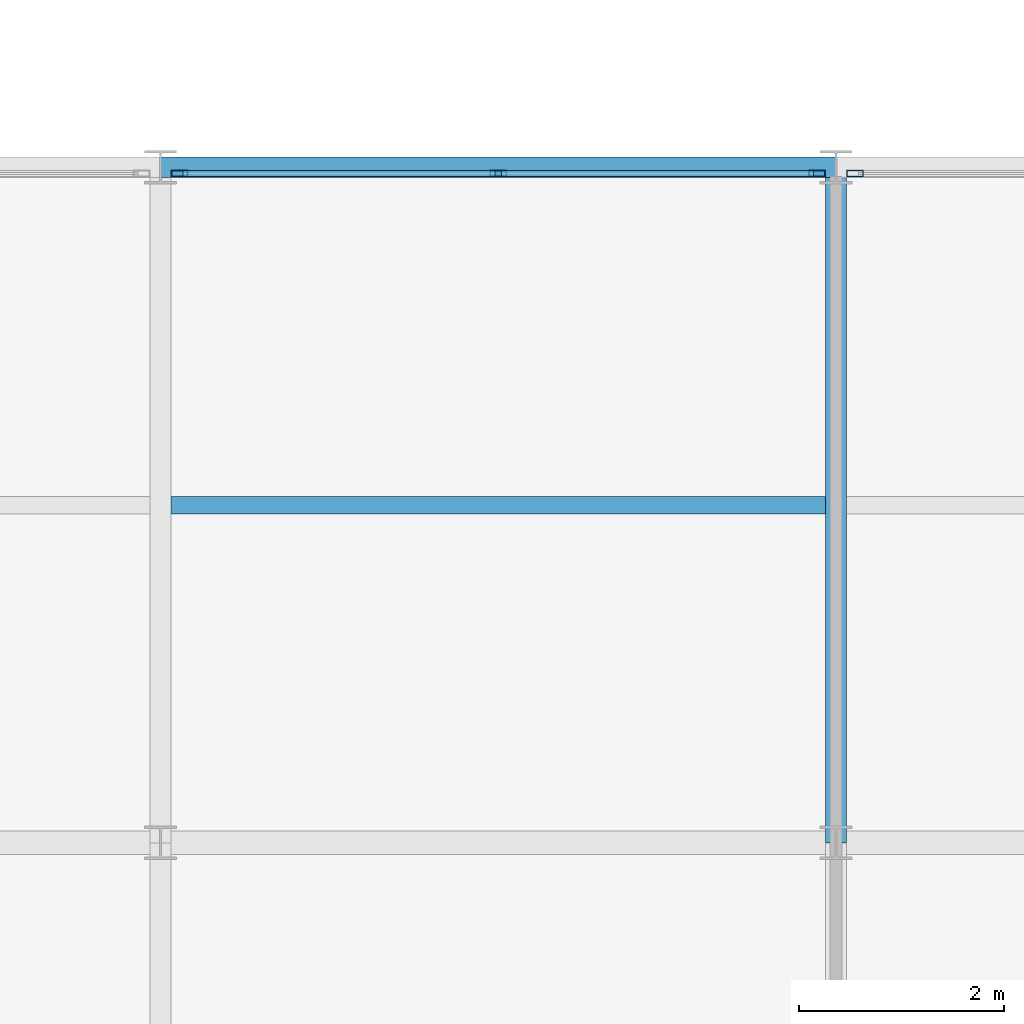
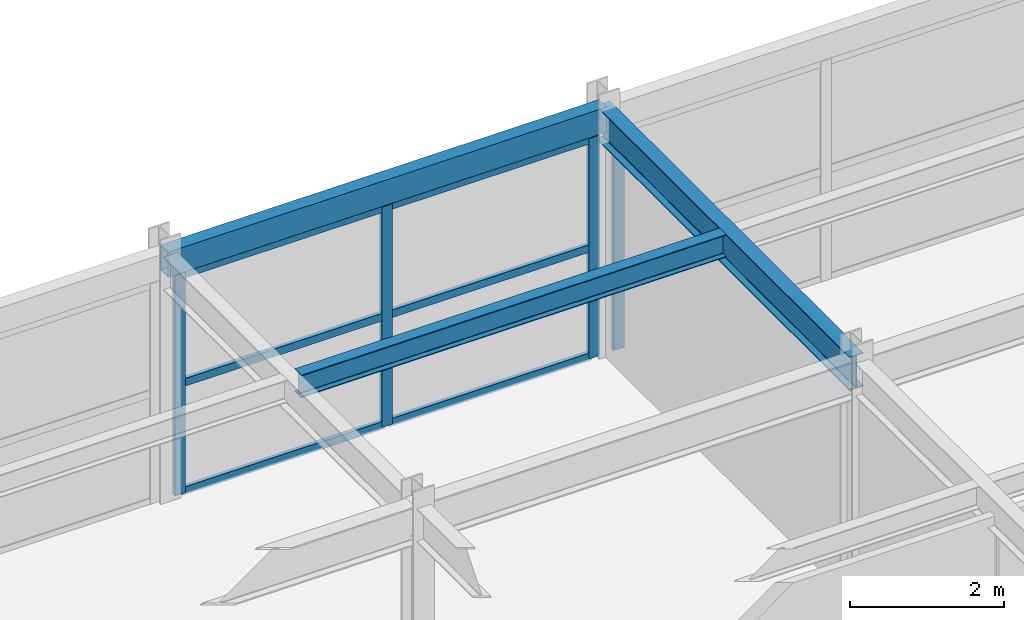
# One storey, part 46 of 106: 10 members, 3 beams, 2 elements without a shape of their own.
"""IFC4 building model written with IfcOpenShell, lengths in metres."""

from ifc_helpers import new_model, si_unit, direction, frame, origin, origin_2d, place, context, subcontext, project, spatial, hollow_rectangle, i_section, extrude, material, material_profile, profile_set, type_object, element, aggregate, save


model = new_model("IFC4")

# Units and contexts
model_context = context("Model", 3, precision=1e-05, world=origin(), true_north=direction((0.0, 1.0)))
body_context = subcontext(model_context, "Body", "Model", "MODEL_VIEW")
ifc_project = project(units=[si_unit("LENGTHUNIT", "METRE"), si_unit("AREAUNIT", "SQUARE_METRE"), si_unit("VOLUMEUNIT", "CUBIC_METRE"), si_unit("PLANEANGLEUNIT", "RADIAN"), si_unit("MASSUNIT", "GRAM", prefix="KILO")], contexts=[model_context])

# Site, building, storey
site_placement = place(None, origin())
site = spatial("IfcSite", under=ifc_project, at=site_placement, CompositionType="ELEMENT")
building_placement = place(site_placement, origin())
building = spatial("IfcBuilding", under=site, at=building_placement, Name="Karori Crest Natural Sciences Institute", CompositionType="ELEMENT")
storey_placement = place(building_placement, frame((0.0, 0.0, 25.89990234375)))
storey = spatial("IfcBuildingStorey", under=building, at=storey_placement, Name="L06", CompositionType="ELEMENT", Elevation=25.89990234375)

# Beams
ifc_material_1 = material(Name="Structural steel AS/NZS 3679.1 Grade 350", Category="steel")
ifc_material_profile_1 = material_profile(ifc_material_1, i_section(OverallWidth=0.208984375, OverallDepth=0.532958984375, WebThickness=0.01025390625, FlangeThickness=0.015625, FilletRadius=0.013916015625, at=origin_2d()), Name="530UB92.4")
ifc_profile_set_1 = profile_set([ifc_material_profile_1], Name="Structural steel AS/NZS 3679.1 Grade 350")
beam_type_1 = type_object("IfcBeamType", Name="BT-05", PredefinedType="BEAM", material=ifc_profile_set_1)
beam_1_placement = place(storey_placement, frame((130.0, 14.0, 3.653564453125), z_axis=(0.0, 1.0, 0.0), x_axis=(-1.0, 0.0, 0.0)))
element("IfcBeam", 1, at=beam_1_placement, inside=storey, type_object=beam_type_1, Name="Beam B-2585", PredefinedType="BEAM", context=body_context, shape_type="SweptSolid", body=[
    extrude(i_section(OverallWidth=0.208984375, OverallDepth=0.532958984375, WebThickness=0.01025390625, FlangeThickness=0.015625, FilletRadius=0.013916015625, at=origin_2d()), origin(), (0.0, 0.0, 1.0), 6.60009765625),
])
ifc_material_profile_2 = material_profile(ifc_material_1, i_section(OverallWidth=0.172119140625, OverallDepth=0.35888671875, WebThickness=0.008056640625, FlangeThickness=0.012939453125, FilletRadius=0.010986328125, at=origin_2d()), Name="360UB56.7")
ifc_profile_set_2 = profile_set([ifc_material_profile_2], Name="Structural steel AS/NZS 3679.1 Grade 350")
beam_type_2 = type_object("IfcBeamType", Name="BT-08", PredefinedType="BEAM", material=ifc_profile_set_2)
beam_2_placement = place(storey_placement, frame((123.50439453125, 17.300048828125, 3.740478515625), z_axis=(1.0, 0.0, 0.0), x_axis=(0.0, 1.0, 0.0)))
element("IfcBeam", 2, at=beam_2_placement, inside=storey, type_object=beam_type_2, Name="Beam B-2606", PredefinedType="BEAM", context=body_context, shape_type="SweptSolid", body=[
    extrude(i_section(OverallWidth=0.172119140625, OverallDepth=0.35888671875, WebThickness=0.008056640625, FlangeThickness=0.012939453125, FilletRadius=0.010986328125, at=origin_2d()), origin(), (0.0, 0.0, 1.0), 6.39111328125),
])
ifc_material_2 = material(Name="Hollow structural steel AS/NZS 1163 Grade C350", Category="steel")
ifc_material_profile_3 = material_profile(ifc_material_2, hollow_rectangle(XDim=0.199951171875, YDim=0.39990234375, WallThickness=0.012451171875, at=origin_2d()), Name="RHS400x200x12.5")
ifc_profile_set_3 = profile_set([ifc_material_profile_3], Name="Hollow structural steel AS/NZS 1163 Grade C350")
beam_type_3 = type_object("IfcBeamType", Name="BT-14", PredefinedType="SPANDREL", material=ifc_profile_set_3)
beam_3_placement = place(storey_placement, frame((123.39990234375, 20.60009765625, 3.72021484375), z_axis=(1.0, 0.0, 0.0), x_axis=(0.0, 1.0, 0.0)))
element("IfcBeam", 3, at=beam_3_placement, inside=storey, type_object=beam_type_3, Name="Beam B-2566", PredefinedType="SPANDREL", context=body_context, shape_type="SweptSolid", body=[
    extrude(hollow_rectangle(XDim=0.199951171875, YDim=0.39990234375, WallThickness=0.012451171875, at=origin_2d()), origin(), (0.0, 0.0, 1.0), 6.60009765625),
])

# Curtain wall, members
ifc_material_3 = material(Name="Anodised architectural aluminium 6063-T6", Category="aluminium")
curtain_wall_type = type_object("IfcCurtainWallType", Name="CWT-20", PredefinedType="NOTDEFINED", material=ifc_material_3)
curtain_wall_1_placement = place(storey_placement, origin())
curtain_wall_1 = element("IfcCurtainWall", 4, at=curtain_wall_1_placement, inside=storey, type_object=curtain_wall_type, Name="Curtain wall CW-0352", PredefinedType="NOTDEFINED")
ifc_material_profile_4 = material_profile(ifc_material_3, hollow_rectangle(XDim=0.06494140625, YDim=0.159912109375, WallThickness=0.00390625, at=origin_2d()), Name="CWM160x65x4")
ifc_profile_set_4 = profile_set([ifc_material_profile_4], Name="Anodised architectural aluminium 6063-T6")
member_type_1 = type_object("IfcMemberType", Name="CWM-01", PredefinedType="MULLION", material=ifc_profile_set_4)
member_1_placement = place(storey_placement, frame((123.5859375, 20.5400390625, 0.0), z_axis=(0.0, 0.0, 1.0), x_axis=(0.0, 1.0, 0.0)))
member_1 = element("IfcMember", 5, at=member_1_placement, type_object=member_type_1, Name="CW-0352 mullion 1", PredefinedType="MULLION", context=body_context, shape_type="SweptSolid", body=[
    extrude(hollow_rectangle(XDim=0.06494140625, YDim=0.159912109375, WallThickness=0.00390625, at=origin_2d()), origin(), (0.0, 0.0, 1.0), 3.505126953125),
])
member_2_placement = place(storey_placement, frame((126.699951171875, 20.5400390625, 0.0), z_axis=(0.0, 0.0, 1.0), x_axis=(0.0, 1.0, 0.0)))
member_2 = element("IfcMember", 6, at=member_2_placement, type_object=member_type_1, Name="CW-0352 mullion 2", PredefinedType="MULLION", context=body_context, shape_type="SweptSolid", body=[
    extrude(hollow_rectangle(XDim=0.06494140625, YDim=0.159912109375, WallThickness=0.00390625, at=origin_2d()), origin(), (0.0, 0.0, 1.0), 3.505126953125),
])
member_3_placement = place(storey_placement, frame((129.81396484375, 20.5400390625, 0.0), z_axis=(0.0, 0.0, 1.0), x_axis=(0.0, 1.0, 0.0)))
member_3 = element("IfcMember", 7, at=member_3_placement, type_object=member_type_1, Name="CW-0352 mullion 3", PredefinedType="MULLION", context=body_context, shape_type="SweptSolid", body=[
    extrude(hollow_rectangle(XDim=0.06494140625, YDim=0.159912109375, WallThickness=0.00390625, at=origin_2d()), origin(), (0.0, 0.0, 1.0), 3.505126953125),
])

# Curtain wall, member
curtain_wall_2_placement = place(storey_placement, origin())
curtain_wall_2 = element("IfcCurtainWall", 8, at=curtain_wall_2_placement, inside=storey, type_object=curtain_wall_type, Name="Curtain wall CW-0353", PredefinedType="NOTDEFINED")
member_4_placement = place(storey_placement, frame((130.18603515625, 20.5400390625, 0.0), z_axis=(0.0, 0.0, 1.0), x_axis=(0.0, 1.0, 0.0)))
member_4 = element("IfcMember", 9, at=member_4_placement, type_object=member_type_1, Name="CW-0353 mullion 1", PredefinedType="MULLION", context=body_context, shape_type="SweptSolid", body=[
    extrude(hollow_rectangle(XDim=0.06494140625, YDim=0.159912109375, WallThickness=0.00390625, at=origin_2d()), origin(), (0.0, 0.0, 1.0), 3.505126953125),
])
aggregate(curtain_wall_2, [member_4])

# Member
ifc_material_profile_5 = material_profile(ifc_material_3, hollow_rectangle(XDim=0.06005859375, YDim=0.1201171875, WallThickness=0.00390625, at=origin_2d()), Name="CWT120x60x4")
ifc_profile_set_5 = profile_set([ifc_material_profile_5], Name="Anodised architectural aluminium 6063-T6")
member_type_2 = type_object("IfcMemberType", Name="CWT-TR1", PredefinedType="USERDEFINED", material=ifc_profile_set_5)
member_5_placement = place(storey_placement, frame((123.618408203125, 20.5400390625, 0.030029296875), z_axis=(1.0, 0.0, 0.0), x_axis=(0.0, 1.0, 0.0)))
member_5 = element("IfcMember", 10, at=member_5_placement, type_object=member_type_2, Name="CW-0352 transom 1.1", ObjectType="TRANSOM", PredefinedType="USERDEFINED", context=body_context, shape_type="SweptSolid", body=[
    extrude(hollow_rectangle(XDim=0.06005859375, YDim=0.1201171875, WallThickness=0.00390625, at=origin_2d()), origin(), (0.0, 0.0, 1.0), 3.049072265625),
])

member_6_placement = place(storey_placement, frame((123.618408203125, 20.5400390625, 1.752685546875), z_axis=(1.0, 0.0, 0.0), x_axis=(0.0, 1.0, 0.0)))
member_6 = element("IfcMember", 11, at=member_6_placement, type_object=member_type_2, Name="CW-0352 transom 1.2", ObjectType="TRANSOM", PredefinedType="USERDEFINED", context=body_context, shape_type="SweptSolid", body=[
    extrude(hollow_rectangle(XDim=0.06005859375, YDim=0.1201171875, WallThickness=0.00390625, at=origin_2d()), origin(), (0.0, 0.0, 1.0), 3.049072265625),
])

member_7_placement = place(storey_placement, frame((123.618408203125, 20.5400390625, 3.47509765625), z_axis=(1.0, 0.0, 0.0), x_axis=(0.0, 1.0, 0.0)))
member_7 = element("IfcMember", 12, at=member_7_placement, type_object=member_type_2, Name="CW-0352 transom 1.3", ObjectType="TRANSOM", PredefinedType="USERDEFINED", context=body_context, shape_type="SweptSolid", body=[
    extrude(hollow_rectangle(XDim=0.06005859375, YDim=0.1201171875, WallThickness=0.00390625, at=origin_2d()), origin(), (0.0, 0.0, 1.0), 3.049072265625),
])

member_8_placement = place(storey_placement, frame((126.732421875, 20.5400390625, 0.030029296875), z_axis=(1.0, 0.0, 0.0), x_axis=(0.0, 1.0, 0.0)))
member_8 = element("IfcMember", 13, at=member_8_placement, type_object=member_type_2, Name="CW-0352 transom 2.1", ObjectType="TRANSOM", PredefinedType="USERDEFINED", context=body_context, shape_type="SweptSolid", body=[
    extrude(hollow_rectangle(XDim=0.06005859375, YDim=0.1201171875, WallThickness=0.00390625, at=origin_2d()), origin(), (0.0, 0.0, 1.0), 3.049072265625),
])

member_9_placement = place(storey_placement, frame((126.732421875, 20.5400390625, 1.752685546875), z_axis=(1.0, 0.0, 0.0), x_axis=(0.0, 1.0, 0.0)))
member_9 = element("IfcMember", 14, at=member_9_placement, type_object=member_type_2, Name="CW-0352 transom 2.2", ObjectType="TRANSOM", PredefinedType="USERDEFINED", context=body_context, shape_type="SweptSolid", body=[
    extrude(hollow_rectangle(XDim=0.06005859375, YDim=0.1201171875, WallThickness=0.00390625, at=origin_2d()), origin(), (0.0, 0.0, 1.0), 3.049072265625),
])

member_10_placement = place(storey_placement, frame((126.732421875, 20.5400390625, 3.47509765625), z_axis=(1.0, 0.0, 0.0), x_axis=(0.0, 1.0, 0.0)))
member_10 = element("IfcMember", 15, at=member_10_placement, type_object=member_type_2, Name="CW-0352 transom 2.3", ObjectType="TRANSOM", PredefinedType="USERDEFINED", context=body_context, shape_type="SweptSolid", body=[
    extrude(hollow_rectangle(XDim=0.06005859375, YDim=0.1201171875, WallThickness=0.00390625, at=origin_2d()), origin(), (0.0, 0.0, 1.0), 3.049072265625),
])

aggregate(curtain_wall_1, [member_1, member_2, member_3, member_5, member_6, member_7, member_8, member_9, member_10])

save(model, "model.ifc")
